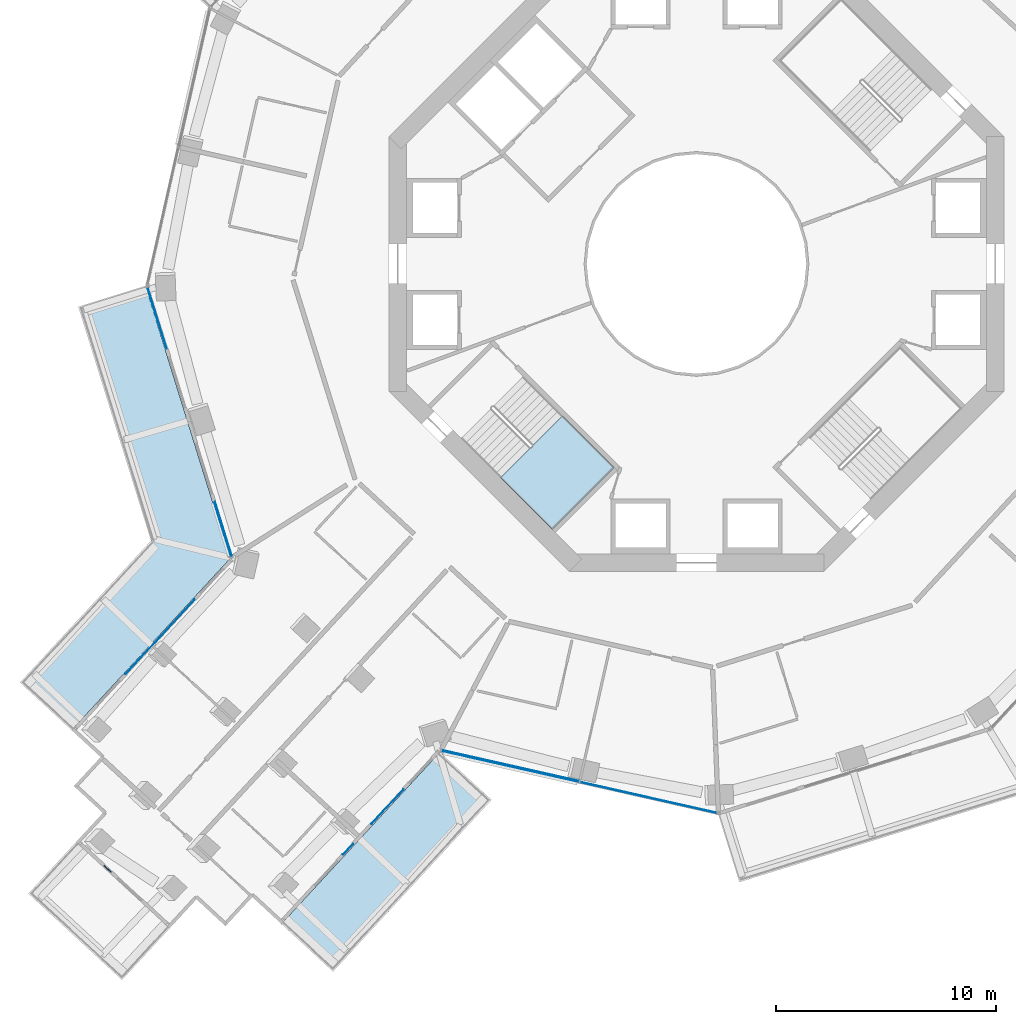
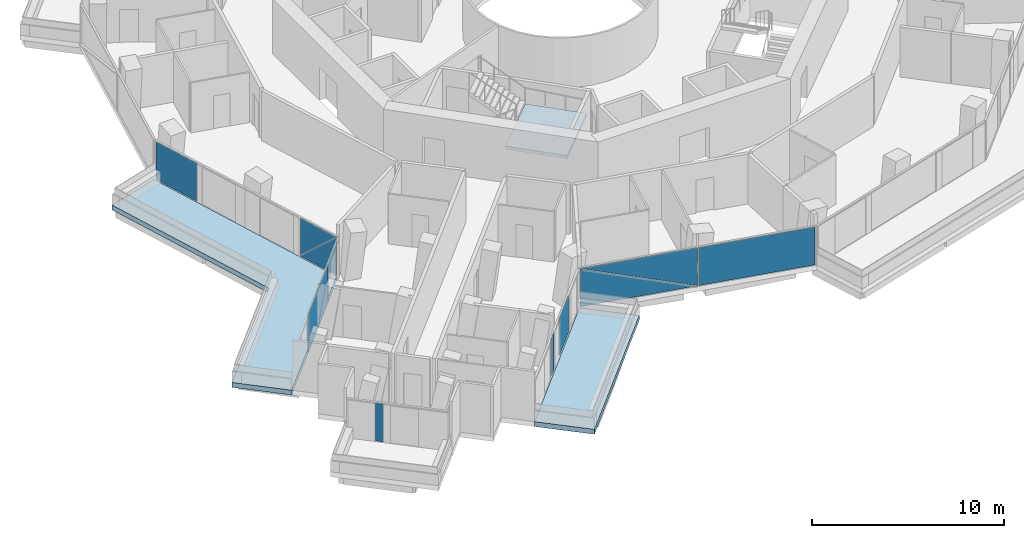
# One storey, part 12 of 25: 10 plates, 3 slabs, 6 elements without a shape of their own.
"""IFC4 building model written with IfcOpenShell, lengths in metres."""

from ifc_helpers import new_model, si_unit, direction, frame, origin, origin_2d, place, context, subcontext, project, spatial, polyline, rectangle, outline, extrude, material, layer, layer_set, type_object, element, aggregate, save


model = new_model("IFC4")

# Units and contexts
model_context = context("Model", 3, precision=1e-05, world=origin(), true_north=direction((0.0, 1.0)))
body_context = subcontext(model_context, "Body", "Model", "MODEL_VIEW")
ifc_project = project(units=[si_unit("LENGTHUNIT", "METRE"), si_unit("AREAUNIT", "SQUARE_METRE"), si_unit("VOLUMEUNIT", "CUBIC_METRE"), si_unit("PLANEANGLEUNIT", "RADIAN"), si_unit("MASSUNIT", "GRAM", prefix="KILO")], contexts=[model_context])

# Site, building, storey
site_placement = place(None, origin())
site = spatial("IfcSite", under=ifc_project, at=site_placement, CompositionType="ELEMENT")
building_placement = place(site_placement, origin())
building = spatial("IfcBuilding", under=site, at=building_placement, Name="Verdalira Terraces Hotel", CompositionType="ELEMENT")
storey_placement = place(building_placement, frame((0.0, 0.0, 103.5)))
storey = spatial("IfcBuildingStorey", under=building, at=storey_placement, Name="L24", CompositionType="ELEMENT", Elevation=103.5)

# Slabs
ifc_material_1 = material(Name="Precast concrete C40/50", Category="concrete")
ifc_layer_1 = layer(ifc_material_1, 0.31005859375)
ifc_layer_set_1 = layer_set([ifc_layer_1], Name="Balcony deck 310")
slab_type_1 = type_object("IfcSlabType", Name="Balcony deck 310", PredefinedType="FLOOR", material=ifc_layer_set_1)
slab_1_placement = place(storey_placement, frame((0.0, 0.0, -0.310059)))
element("IfcSlab", 1, at=slab_1_placement, inside=storey, type_object=slab_type_1, Name="Balcony deck", PredefinedType="FLOOR", context=body_context, shape_type="SweptSolid", body=[
    extrude(outline(polyline([(-24.836914, -12.598633), (-30.802979, -19.05957), (-28.452148, -21.230469), (-21.232666, -13.412354), (-25.094238, -0.999023), (-28.149658, -1.949707), (-24.836914, -12.598633)])), origin(), (0.0, 0.0, 1.0), 0.310059),
])
slab_2_placement = place(storey_placement, frame((0.0, 0.0, -0.310059)))
element("IfcSlab", 2, at=slab_2_placement, inside=storey, type_object=slab_type_1, Name="Balcony deck", PredefinedType="FLOOR", context=body_context, shape_type="SweptSolid", body=[
    extrude(outline(polyline([(-9.330811, -24.402588), (-11.681885, -22.231689), (-18.901367, -30.050049), (-16.550293, -32.220947), (-9.330811, -24.402588)])), origin(), (0.0, 0.0, 1.0), 0.310059),
])

# Curtain wall, plates
ifc_material_2 = material(Name="Clear glass", Category="glass")
ifc_layer_2 = layer(ifc_material_2, 0.14990234375)
ifc_layer_set_2 = layer_set([ifc_layer_2], Name="CW1 curtain wall")
curtain_wall_type_1 = type_object("IfcCurtainWallType", Name="CW1 curtain wall", PredefinedType="NOTDEFINED", material=ifc_layer_set_2)
curtain_wall_1_placement = place(storey_placement, origin())
curtain_wall_1 = element("IfcCurtainWall", 3, at=curtain_wall_1_placement, inside=storey, type_object=curtain_wall_type_1, Name="CW1 curtain wall L24 edge 13", PredefinedType="NOTDEFINED")
ifc_material_3 = material(Name="Clear glass", Category="glass")
ifc_layer_3 = layer(ifc_material_3, 0.028076171875)
ifc_layer_set_3 = layer_set([ifc_layer_3], Name="CW1 glass unit 28")
plate_type_1 = type_object("IfcPlateType", Name="CW1 glass unit 28", PredefinedType="CURTAIN_PANEL", material=ifc_layer_set_3)
plate_1_placement = place(storey_placement, frame((-24.55835, -2.468994, 0.0), z_axis=(0.0, 0.0, 1.0), x_axis=(0.297041582, -0.954864545, 0.0)))
plate_1 = element("IfcPlate", 4, at=plate_1_placement, type_object=plate_type_1, Name="CW1 glass unit", PredefinedType="CURTAIN_PANEL", context=body_context, shape_type="SweptSolid", body=[
    extrude(rectangle(XDim=2.924805, YDim=0.028076, at=origin_2d()), origin(), (0.0, 0.0, 1.0), 2.425049),
])
plate_2_placement = place(storey_placement, frame((-21.552246, -12.085205, 1.212402), z_axis=(-0.954864545, -0.297041582, 0.0), x_axis=(0.297041582, -0.954864545, 0.0)))
plate_2 = element("IfcPlate", 5, at=plate_2_placement, type_object=plate_type_1, Name="CW1 glass unit", PredefinedType="CURTAIN_PANEL", context=body_context, shape_type="SweptSolid", body=[
    extrude(outline(polyline([(-1.302246, -1.212402), (1.302246, -1.212402), (1.302246, 1.212402), (-1.302246, -1.212402)])), origin(), (0.0, 0.0, 1.0), 0.028076),
])
plate_3_placement = place(storey_placement, frame((-21.524414, -12.07666, 1.212402), z_axis=(-0.954864545, -0.297041582, 0.0), x_axis=(0.297041582, -0.954864545, 0.0)))
plate_3 = element("IfcPlate", 6, at=plate_3_placement, type_object=plate_type_1, Name="CW1 glass unit", PredefinedType="CURTAIN_PANEL", context=body_context, shape_type="SweptSolid", body=[
    extrude(outline(polyline([(-1.302246, -1.212402), (1.302246, 1.212402), (-1.302246, 1.212402), (-1.302246, -1.212402)])), origin(), (0.0, 0.0, 1.0), 0.028076),
])
aggregate(curtain_wall_1, [plate_1, plate_2, plate_3])

curtain_wall_2_placement = place(storey_placement, origin())
curtain_wall_2 = element("IfcCurtainWall", 7, at=curtain_wall_2_placement, inside=storey, type_object=curtain_wall_type_1, Name="CW1 curtain wall L24 edge 25", PredefinedType="NOTDEFINED")
plate_4_placement = place(storey_placement, frame((-8.477295, -22.86377, 1.212402), z_axis=(-0.220186717, -0.975457744, 0.0), x_axis=(0.975457744, -0.220186717, 0.0)))
plate_4 = element("IfcPlate", 8, at=plate_4_placement, type_object=plate_type_1, Name="CW1 glass unit", PredefinedType="CURTAIN_PANEL", context=body_context, shape_type="SweptSolid", body=[
    extrude(outline(polyline([(-3.205078, -1.212402), (3.205078, -1.212402), (-3.205078, 1.212402), (-3.205078, -1.212402)])), origin(), (0.0, 0.0, 1.0), 0.028076),
])
plate_5_placement = place(storey_placement, frame((-8.470947, -22.835449, 1.212402), z_axis=(-0.220186717, -0.975457744, 0.0), x_axis=(0.975457744, -0.220186717, 0.0)))
plate_5 = element("IfcPlate", 9, at=plate_5_placement, type_object=plate_type_1, Name="CW1 glass unit", PredefinedType="CURTAIN_PANEL", context=body_context, shape_type="SweptSolid", body=[
    extrude(outline(polyline([(3.205078, -1.212402), (3.205078, 1.212402), (-3.205078, 1.212402), (3.205078, -1.212402)])), origin(), (0.0, 0.0, 1.0), 0.028076),
])
plate_6_placement = place(storey_placement, frame((-2.188965, -24.297607, 0.0), z_axis=(0.0, 0.0, 1.0), x_axis=(0.975457744, -0.220186717, 0.0)))
plate_6 = element("IfcPlate", 10, at=plate_6_placement, type_object=plate_type_1, Name="CW1 glass unit", PredefinedType="CURTAIN_PANEL", context=body_context, shape_type="SweptSolid", body=[
    extrude(rectangle(XDim=6.369873, YDim=0.028076, at=origin_2d()), origin(), (0.0, 0.0, 1.0), 2.425049),
])
aggregate(curtain_wall_2, [plate_4, plate_5, plate_6])

# Curtain wall, plate
ifc_material_4 = material(Name="Clear glass", Category="glass")
ifc_layer_4 = layer(ifc_material_4, 0.14990234375)
ifc_layer_set_4 = layer_set([ifc_layer_4], Name="CW2 curtain wall")
curtain_wall_type_2 = type_object("IfcCurtainWallType", Name="CW2 curtain wall", PredefinedType="NOTDEFINED", material=ifc_layer_set_4)
curtain_wall_3_placement = place(storey_placement, origin())
curtain_wall_3 = element("IfcCurtainWall", 11, at=curtain_wall_3_placement, inside=storey, type_object=curtain_wall_type_2, Name="CW2 curtain wall L24 edge 14", PredefinedType="NOTDEFINED")
ifc_material_5 = material(Name="Clear glass", Category="glass")
ifc_layer_5 = layer(ifc_material_5, 0.031982421875)
ifc_layer_set_5 = layer_set([ifc_layer_5], Name="CW2 glass unit 32")
plate_type_2 = type_object("IfcPlateType", Name="CW2 glass unit 32", PredefinedType="CURTAIN_PANEL", material=ifc_layer_set_5)
plate_7_placement = place(storey_placement, frame((-24.421387, -16.976074, 0.0), z_axis=(0.0, 0.0, 1.0), x_axis=(-0.678416162, -0.734677828, 0.0)))
plate_7 = element("IfcPlate", 12, at=plate_7_placement, type_object=plate_type_2, Name="CW2 glass unit", PredefinedType="CURTAIN_PANEL", context=body_context, shape_type="SweptSolid", body=[
    extrude(rectangle(XDim=4.635742, YDim=0.031982, at=origin_2d()), origin(), (0.0, 0.0, 1.0), 2.425049),
])
aggregate(curtain_wall_3, [plate_7])

# Curtain wall, plates
curtain_wall_4_placement = place(storey_placement, origin())
curtain_wall_4 = element("IfcCurtainWall", 13, at=curtain_wall_4_placement, inside=storey, type_object=curtain_wall_type_2, Name="CW2 curtain wall L24 edge 24", PredefinedType="NOTDEFINED")
plate_8_placement = place(storey_placement, frame((-15.868896, -26.655518, 0.0), z_axis=(0.0, 0.0, 1.0), x_axis=(0.678416162, 0.734677828, 0.0)))
plate_8 = element("IfcPlate", 14, at=plate_8_placement, type_object=plate_type_2, Name="CW2 glass unit", PredefinedType="CURTAIN_PANEL", context=body_context, shape_type="SweptSolid", body=[
    extrude(rectangle(XDim=0.639893, YDim=0.031982, at=origin_2d()), origin(), (0.0, 0.0, 1.0), 2.425049),
])
plate_9_placement = place(storey_placement, frame((-14.076416, -24.714355, 0.0), z_axis=(0.0, 0.0, 1.0), x_axis=(0.678416162, 0.734677828, 0.0)))
plate_9 = element("IfcPlate", 15, at=plate_9_placement, type_object=plate_type_2, Name="CW2 glass unit", PredefinedType="CURTAIN_PANEL", context=body_context, shape_type="SweptSolid", body=[
    extrude(rectangle(XDim=2.156738, YDim=0.031982, at=origin_2d()), origin(), (0.0, 0.0, 1.0), 2.425049),
])
aggregate(curtain_wall_4, [plate_8, plate_9])

# Curtain wall, plate
ifc_material_6 = material(Name="Clear glass", Category="glass")
ifc_layer_6 = layer(ifc_material_6, 0.14990234375)
ifc_layer_set_6 = layer_set([ifc_layer_6], Name="CW3 curtain wall")
curtain_wall_type_3 = type_object("IfcCurtainWallType", Name="CW3 curtain wall", PredefinedType="NOTDEFINED", material=ifc_layer_set_6)
curtain_wall_5_placement = place(storey_placement, origin())
curtain_wall_5 = element("IfcCurtainWall", 16, at=curtain_wall_5_placement, inside=storey, type_object=curtain_wall_type_3, Name="CW3 curtain wall L24 edge 19", PredefinedType="NOTDEFINED")
ifc_material_7 = material(Name="Clear glass", Category="glass")
ifc_layer_7 = layer(ifc_material_7, 0.035888671875)
ifc_layer_set_7 = layer_set([ifc_layer_7], Name="CW3 glass unit 36")
plate_type_3 = type_object("IfcPlateType", Name="CW3 glass unit 36", PredefinedType="CURTAIN_PANEL", material=ifc_layer_set_7)
plate_10_placement = place(storey_placement, frame((-26.813965, -27.54126, 0.0), z_axis=(0.0, 0.0, 1.0), x_axis=(0.734677828, -0.678416162, 0.0)))
plate_10 = element("IfcPlate", 17, at=plate_10_placement, type_object=plate_type_3, Name="CW3 glass unit", PredefinedType="CURTAIN_PANEL", context=body_context, shape_type="SweptSolid", body=[
    extrude(rectangle(XDim=0.43042, YDim=0.035889, at=origin_2d()), origin(), (0.0, 0.0, 1.0), 2.425049),
])
aggregate(curtain_wall_5, [plate_10])

# Stair, slab
ifc_material_8 = material(Name="Concrete C40", Category="concrete")
stair_type = type_object("IfcStairType", Name="Core stair 20 risers 1950 mm wide", PredefinedType="HALF_TURN_STAIR", material=ifc_material_8)
stair_placement = place(storey_placement, origin())
stair = element("IfcStair", 18, at=stair_placement, inside=storey, type_object=stair_type, Name="L24 Exit stair ST2", PredefinedType="HALF_TURN_STAIR")
ifc_material_9 = material(Name="Concrete C40", Category="concrete")
ifc_layer_8 = layer(ifc_material_9, 0.199951171875)
ifc_layer_set_8 = layer_set([ifc_layer_8], Name="Core stair landing 200 mm")
slab_type_2 = type_object("IfcSlabType", Name="Core stair landing 200 mm", PredefinedType="LANDING", material=ifc_layer_set_8)
slab_3_placement = place(storey_placement, frame((0.0, 0.0, 1.550049)))
slab_3 = element("IfcSlab", 19, at=slab_3_placement, type_object=slab_type_2, Name="ST2 landing 1", PredefinedType="LANDING", context=body_context, shape_type="SweptSolid", body=[
    extrude(outline(polyline([(-8.931152, -9.736572), (-6.576172, -12.091553), (-3.747559, -9.263184), (-6.102783, -6.907959), (-8.931152, -9.736572)])), origin(), (0.0, 0.0, 1.0), 0.199951),
])
aggregate(stair, [slab_3])

save(model, "model.ifc")
